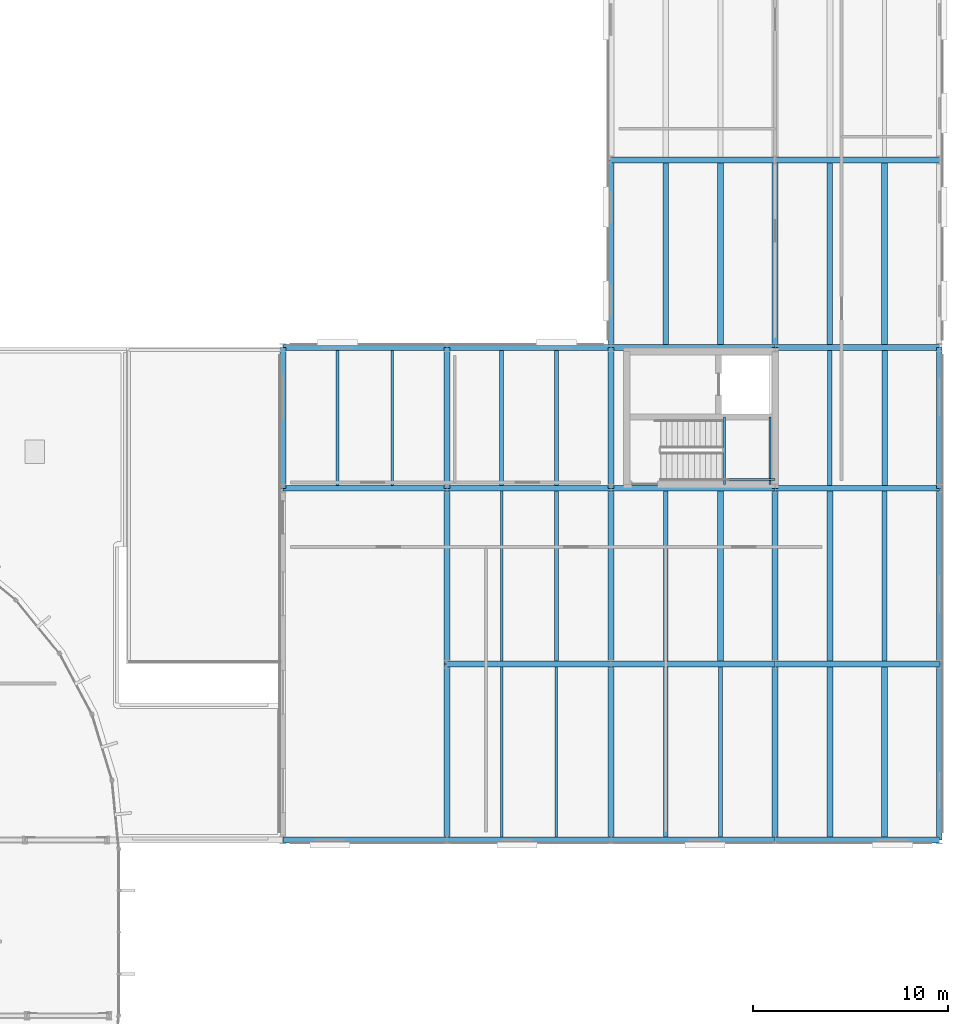
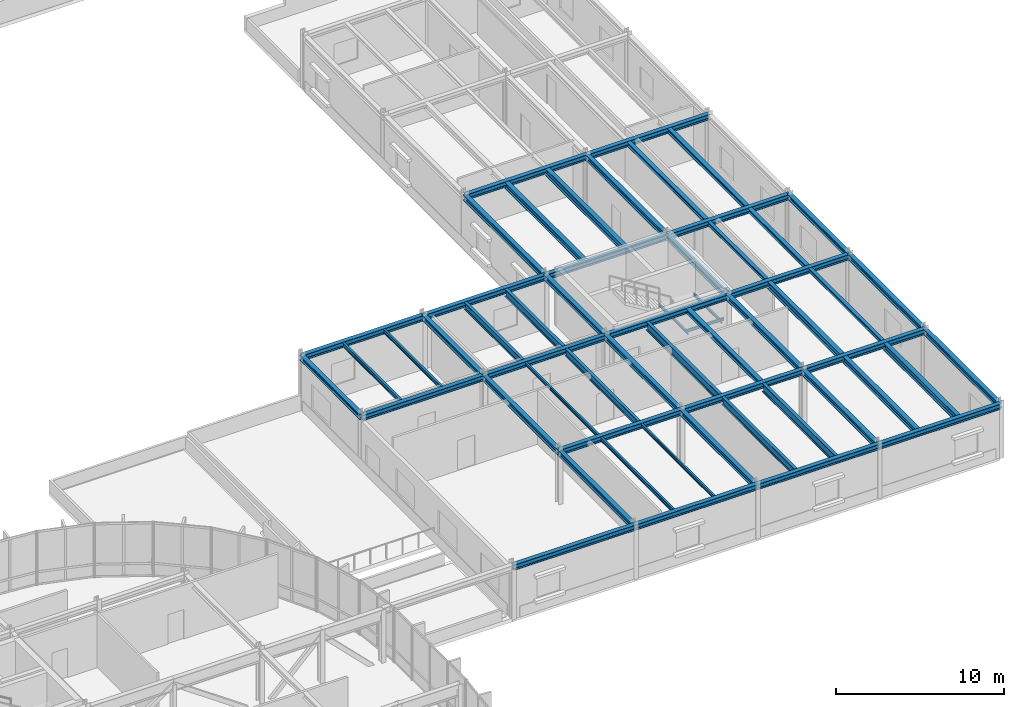
# One storey, part 36 of 69: 57 beams.
"""IFC4 building model written with IfcOpenShell, lengths in metres."""

from ifc_helpers import new_model, si_unit, direction, frame, origin, origin_2d, place, context, subcontext, project, spatial, i_section, extrude, material, material_profile, profile_set, type_object, element, save


model = new_model("IFC4")

# Units and contexts
model_context = context("Model", 3, precision=1e-05, world=origin(), true_north=direction((0.0, 1.0)))
body_context = subcontext(model_context, "Body", "Model", "MODEL_VIEW")
ifc_project = project(units=[si_unit("LENGTHUNIT", "METRE"), si_unit("AREAUNIT", "SQUARE_METRE"), si_unit("VOLUMEUNIT", "CUBIC_METRE"), si_unit("PLANEANGLEUNIT", "RADIAN"), si_unit("MASSUNIT", "GRAM", prefix="KILO")], contexts=[model_context])

# Site, building, storey
site_placement = place(None, origin())
site = spatial("IfcSite", under=ifc_project, at=site_placement, CompositionType="ELEMENT")
building_placement = place(site_placement, origin())
building = spatial("IfcBuilding", under=site, at=building_placement, Name="Montealbar Specialist Clinic", CompositionType="ELEMENT")
storey_placement = place(building_placement, frame((0.0, 0.0, 9.60009765625)))
storey = spatial("IfcBuildingStorey", under=building, at=storey_placement, Name="L02", CompositionType="ELEMENT", Elevation=9.60009765625)

# Beams
ifc_material = material(Name="Steel S355", Category="steel")
ifc_material_profile_1 = material_profile(ifc_material, i_section(OverallWidth=0.300048828125, OverallDepth=0.360107421875, WebThickness=0.012451171875, FlangeThickness=0.0224609375, FilletRadius=0.027099609375, at=origin_2d()), Name="HEB 360", Category="steel")
ifc_profile_set_1 = profile_set([ifc_material_profile_1], Name="Steel S355")
beam_type_1 = type_object("IfcBeamType", Name="BM-GIRD-HEB360", PredefinedType="BEAM", material=ifc_profile_set_1)
for number, where, z_axis, x_axis, name in (
    (1, (145.199951171875, 45.0, 3.75), (0.0, 1.0, 0.0), (-1.0, 0.0, 0.0), "Beam GY-L02-1452-450-522"),
    (2, (153.60009765625, 45.0, 3.75), (0.0, 1.0, 0.0), (-1.0, 0.0, 0.0), "Beam GY-L02-1536-450-522"),
):
    element("IfcBeam", number, at=place(storey_placement, frame(where, z_axis=z_axis, x_axis=x_axis)), inside=storey, type_object=beam_type_1, Name=name, PredefinedType="BEAM", context=body_context, shape_type="SweptSolid", body=[
        extrude(i_section(OverallWidth=0.300048828125, OverallDepth=0.360107421875, WebThickness=0.012451171875, FlangeThickness=0.0224609375, FilletRadius=0.027099609375, at=origin_2d()), origin(), (0.0, 0.0, 1.0), 7.199951171875),
    ])
ifc_material_profile_2 = material_profile(ifc_material, i_section(OverallWidth=0.300048828125, OverallDepth=0.360107421875, WebThickness=0.012451171875, FlangeThickness=0.0224609375, FilletRadius=0.027099609375, at=origin_2d()), Name="HEB 360", Category="steel")
ifc_profile_set_2 = profile_set([ifc_material_profile_2], Name="Steel S355")
beam_type_2 = type_object("IfcBeamType", Name="BM-GIRD-HEB360-EXT", PredefinedType="BEAM", material=ifc_profile_set_2)
for number, where, z_axis, x_axis, name in (
    (3, (128.39990234375, 45.0, 3.75), (0.0, 1.0, 0.0), (-1.0, 0.0, 0.0), "Beam GY-L02-1284-450-522"),
    (4, (136.800048828125, 45.0, 3.75), (0.0, 1.0, 0.0), (-1.0, 0.0, 0.0), "Beam GY-L02-1368-450-522"),
    (5, (162.0, 45.0, 3.75), (0.0, 1.0, 0.0), (-1.0, 0.0, 0.0), "Beam GY-L02-1620-450-522"),
):
    element("IfcBeam", number, at=place(storey_placement, frame(where, z_axis=z_axis, x_axis=x_axis)), inside=storey, type_object=beam_type_2, Name=name, PredefinedType="BEAM", context=body_context, shape_type="SweptSolid", body=[
        extrude(i_section(OverallWidth=0.300048828125, OverallDepth=0.360107421875, WebThickness=0.012451171875, FlangeThickness=0.0224609375, FilletRadius=0.027099609375, at=origin_2d()), origin(), (0.0, 0.0, 1.0), 7.199951171875),
    ])
ifc_material_profile_3 = material_profile(ifc_material, i_section(OverallWidth=0.300048828125, OverallDepth=0.39990234375, WebThickness=0.013427734375, FlangeThickness=0.02392578125, FilletRadius=0.027099609375, at=origin_2d()), Name="HEB 400", Category="steel")
ifc_profile_set_3 = profile_set([ifc_material_profile_3], Name="Steel S355")
beam_type_3 = type_object("IfcBeamType", Name="BM-GIRD-HEB400", PredefinedType="BEAM", material=ifc_profile_set_3)
beam_1_placement = place(storey_placement, frame((136.800048828125, 45.0, 3.72998046875), z_axis=(1.0, 0.0, 0.0), x_axis=(0.0, 1.0, 0.0)))
element("IfcBeam", 6, at=beam_1_placement, inside=storey, type_object=beam_type_3, Name="Beam GX-L02-1368-1452-450", PredefinedType="BEAM", context=body_context, shape_type="SweptSolid", body=[
    extrude(i_section(OverallWidth=0.300048828125, OverallDepth=0.39990234375, WebThickness=0.013427734375, FlangeThickness=0.02392578125, FilletRadius=0.027099609375, at=origin_2d()), origin(), (0.0, 0.0, 1.0), 8.39990234375),
])
beam_2_placement = place(storey_placement, frame((145.199951171875, 45.0, 3.72998046875), z_axis=(1.0, 0.0, 0.0), x_axis=(0.0, 1.0, 0.0)))
element("IfcBeam", 7, at=beam_2_placement, inside=storey, type_object=beam_type_3, Name="Beam GX-L02-1452-1536-450", PredefinedType="BEAM", context=body_context, shape_type="SweptSolid", body=[
    extrude(i_section(OverallWidth=0.300048828125, OverallDepth=0.39990234375, WebThickness=0.013427734375, FlangeThickness=0.02392578125, FilletRadius=0.027099609375, at=origin_2d()), origin(), (0.0, 0.0, 1.0), 8.400146484375),
])
beam_3_placement = place(storey_placement, frame((153.60009765625, 45.0, 3.72998046875), z_axis=(1.0, 0.0, 0.0), x_axis=(0.0, 1.0, 0.0)))
element("IfcBeam", 8, at=beam_3_placement, inside=storey, type_object=beam_type_3, Name="Beam GX-L02-1536-1620-450", PredefinedType="BEAM", context=body_context, shape_type="SweptSolid", body=[
    extrude(i_section(OverallWidth=0.300048828125, OverallDepth=0.39990234375, WebThickness=0.013427734375, FlangeThickness=0.02392578125, FilletRadius=0.027099609375, at=origin_2d()), origin(), (0.0, 0.0, 1.0), 8.39990234375),
])
for number, where, z_axis, x_axis, name in (
    (9, (145.199951171875, 36.0, 3.72998046875), (0.0, 1.0, 0.0), (-1.0, 0.0, 0.0), "Beam GY-L02-1452-360-450"),
    (10, (153.60009765625, 36.0, 3.72998046875), (0.0, 1.0, 0.0), (-1.0, 0.0, 0.0), "Beam GY-L02-1536-360-450"),
):
    element("IfcBeam", number, at=place(storey_placement, frame(where, z_axis=z_axis, x_axis=x_axis)), inside=storey, type_object=beam_type_3, Name=name, PredefinedType="BEAM", context=body_context, shape_type="SweptSolid", body=[
        extrude(i_section(OverallWidth=0.300048828125, OverallDepth=0.39990234375, WebThickness=0.013427734375, FlangeThickness=0.02392578125, FilletRadius=0.027099609375, at=origin_2d()), origin(), (0.0, 0.0, 1.0), 9.0),
    ])
ifc_material_profile_4 = material_profile(ifc_material, i_section(OverallWidth=0.300048828125, OverallDepth=0.39990234375, WebThickness=0.013427734375, FlangeThickness=0.02392578125, FilletRadius=0.027099609375, at=origin_2d()), Name="HEB 400", Category="steel")
ifc_profile_set_4 = profile_set([ifc_material_profile_4], Name="Steel S355")
beam_type_4 = type_object("IfcBeamType", Name="BM-GIRD-HEB400-EXT", PredefinedType="BEAM", material=ifc_profile_set_4)
beam_4_placement = place(storey_placement, frame((128.39990234375, 27.0, 3.72998046875), z_axis=(1.0, 0.0, 0.0), x_axis=(0.0, 1.0, 0.0)))
element("IfcBeam", 11, at=beam_4_placement, inside=storey, type_object=beam_type_4, Name="Beam GX-L02-1284-1368-270", PredefinedType="BEAM", context=body_context, shape_type="SweptSolid", body=[
    extrude(i_section(OverallWidth=0.300048828125, OverallDepth=0.39990234375, WebThickness=0.013427734375, FlangeThickness=0.02392578125, FilletRadius=0.027099609375, at=origin_2d()), origin(), (0.0, 0.0, 1.0), 8.400146484375),
])
beam_5_placement = place(storey_placement, frame((136.800048828125, 27.0, 3.72998046875), z_axis=(1.0, 0.0, 0.0), x_axis=(0.0, 1.0, 0.0)))
element("IfcBeam", 12, at=beam_5_placement, inside=storey, type_object=beam_type_4, Name="Beam GX-L02-1368-1452-270", PredefinedType="BEAM", context=body_context, shape_type="SweptSolid", body=[
    extrude(i_section(OverallWidth=0.300048828125, OverallDepth=0.39990234375, WebThickness=0.013427734375, FlangeThickness=0.02392578125, FilletRadius=0.027099609375, at=origin_2d()), origin(), (0.0, 0.0, 1.0), 8.39990234375),
])
beam_6_placement = place(storey_placement, frame((145.199951171875, 27.0, 3.72998046875), z_axis=(1.0, 0.0, 0.0), x_axis=(0.0, 1.0, 0.0)))
element("IfcBeam", 13, at=beam_6_placement, inside=storey, type_object=beam_type_4, Name="Beam GX-L02-1452-1536-270", PredefinedType="BEAM", context=body_context, shape_type="SweptSolid", body=[
    extrude(i_section(OverallWidth=0.300048828125, OverallDepth=0.39990234375, WebThickness=0.013427734375, FlangeThickness=0.02392578125, FilletRadius=0.027099609375, at=origin_2d()), origin(), (0.0, 0.0, 1.0), 8.400146484375),
])
for number, where, z_axis, x_axis, name in (
    (14, (153.60009765625, 27.0, 3.72998046875), (1.0, 0.0, 0.0), (0.0, 1.0, 0.0), "Beam GX-L02-1536-1620-270"),
    (15, (136.800048828125, 36.0, 3.72998046875), (1.0, 0.0, 0.0), (0.0, 1.0, 0.0), "Beam GX-L02-1368-1452-360"),
):
    element("IfcBeam", number, at=place(storey_placement, frame(where, z_axis=z_axis, x_axis=x_axis)), inside=storey, type_object=beam_type_4, Name=name, PredefinedType="BEAM", context=body_context, shape_type="SweptSolid", body=[
        extrude(i_section(OverallWidth=0.300048828125, OverallDepth=0.39990234375, WebThickness=0.013427734375, FlangeThickness=0.02392578125, FilletRadius=0.027099609375, at=origin_2d()), origin(), (0.0, 0.0, 1.0), 8.39990234375),
    ])
beam_7_placement = place(storey_placement, frame((145.199951171875, 36.0, 3.72998046875), z_axis=(1.0, 0.0, 0.0), x_axis=(0.0, 1.0, 0.0)))
element("IfcBeam", 16, at=beam_7_placement, inside=storey, type_object=beam_type_4, Name="Beam GX-L02-1452-1536-360", PredefinedType="BEAM", context=body_context, shape_type="SweptSolid", body=[
    extrude(i_section(OverallWidth=0.300048828125, OverallDepth=0.39990234375, WebThickness=0.013427734375, FlangeThickness=0.02392578125, FilletRadius=0.027099609375, at=origin_2d()), origin(), (0.0, 0.0, 1.0), 8.400146484375),
])
beam_8_placement = place(storey_placement, frame((153.60009765625, 36.0, 3.72998046875), z_axis=(1.0, 0.0, 0.0), x_axis=(0.0, 1.0, 0.0)))
element("IfcBeam", 17, at=beam_8_placement, inside=storey, type_object=beam_type_4, Name="Beam GX-L02-1536-1620-360", PredefinedType="BEAM", context=body_context, shape_type="SweptSolid", body=[
    extrude(i_section(OverallWidth=0.300048828125, OverallDepth=0.39990234375, WebThickness=0.013427734375, FlangeThickness=0.02392578125, FilletRadius=0.027099609375, at=origin_2d()), origin(), (0.0, 0.0, 1.0), 8.39990234375),
])
for number, where, z_axis, x_axis, name in (
    (18, (128.39990234375, 45.0, 3.72998046875), (1.0, 0.0, 0.0), (0.0, 1.0, 0.0), "Beam GX-L02-1284-1368-450"),
    (19, (128.39990234375, 52.199951171875, 3.72998046875), (1.0, 0.0, 0.0), (0.0, 1.0, 0.0), "Beam GX-L02-1284-1368-522"),
):
    element("IfcBeam", number, at=place(storey_placement, frame(where, z_axis=z_axis, x_axis=x_axis)), inside=storey, type_object=beam_type_4, Name=name, PredefinedType="BEAM", context=body_context, shape_type="SweptSolid", body=[
        extrude(i_section(OverallWidth=0.300048828125, OverallDepth=0.39990234375, WebThickness=0.013427734375, FlangeThickness=0.02392578125, FilletRadius=0.027099609375, at=origin_2d()), origin(), (0.0, 0.0, 1.0), 8.400146484375),
    ])
beam_9_placement = place(storey_placement, frame((136.800048828125, 52.199951171875, 3.72998046875), z_axis=(1.0, 0.0, 0.0), x_axis=(0.0, 1.0, 0.0)))
element("IfcBeam", 20, at=beam_9_placement, inside=storey, type_object=beam_type_4, Name="Beam GX-L02-1368-1452-522", PredefinedType="BEAM", context=body_context, shape_type="SweptSolid", body=[
    extrude(i_section(OverallWidth=0.300048828125, OverallDepth=0.39990234375, WebThickness=0.013427734375, FlangeThickness=0.02392578125, FilletRadius=0.027099609375, at=origin_2d()), origin(), (0.0, 0.0, 1.0), 8.39990234375),
])
beam_10_placement = place(storey_placement, frame((145.199951171875, 52.199951171875, 3.72998046875), z_axis=(1.0, 0.0, 0.0), x_axis=(0.0, 1.0, 0.0)))
element("IfcBeam", 21, at=beam_10_placement, inside=storey, type_object=beam_type_4, Name="Beam GX-L02-1452-1536-522", PredefinedType="BEAM", context=body_context, shape_type="SweptSolid", body=[
    extrude(i_section(OverallWidth=0.300048828125, OverallDepth=0.39990234375, WebThickness=0.013427734375, FlangeThickness=0.02392578125, FilletRadius=0.027099609375, at=origin_2d()), origin(), (0.0, 0.0, 1.0), 8.400146484375),
])
beam_11_placement = place(storey_placement, frame((153.60009765625, 52.199951171875, 3.72998046875), z_axis=(1.0, 0.0, 0.0), x_axis=(0.0, 1.0, 0.0)))
element("IfcBeam", 22, at=beam_11_placement, inside=storey, type_object=beam_type_4, Name="Beam GX-L02-1536-1620-522", PredefinedType="BEAM", context=body_context, shape_type="SweptSolid", body=[
    extrude(i_section(OverallWidth=0.300048828125, OverallDepth=0.39990234375, WebThickness=0.013427734375, FlangeThickness=0.02392578125, FilletRadius=0.027099609375, at=origin_2d()), origin(), (0.0, 0.0, 1.0), 8.39990234375),
])
beam_12_placement = place(storey_placement, frame((145.199951171875, 61.800048828125, 3.72998046875), z_axis=(1.0, 0.0, 0.0), x_axis=(0.0, 1.0, 0.0)))
element("IfcBeam", 23, at=beam_12_placement, inside=storey, type_object=beam_type_4, Name="Beam GX-L02-1452-1536-618", PredefinedType="BEAM", context=body_context, shape_type="SweptSolid", body=[
    extrude(i_section(OverallWidth=0.300048828125, OverallDepth=0.39990234375, WebThickness=0.013427734375, FlangeThickness=0.02392578125, FilletRadius=0.027099609375, at=origin_2d()), origin(), (0.0, 0.0, 1.0), 8.400146484375),
])
beam_13_placement = place(storey_placement, frame((153.60009765625, 61.800048828125, 3.72998046875), z_axis=(1.0, 0.0, 0.0), x_axis=(0.0, 1.0, 0.0)))
element("IfcBeam", 24, at=beam_13_placement, inside=storey, type_object=beam_type_4, Name="Beam GX-L02-1536-1620-618", PredefinedType="BEAM", context=body_context, shape_type="SweptSolid", body=[
    extrude(i_section(OverallWidth=0.300048828125, OverallDepth=0.39990234375, WebThickness=0.013427734375, FlangeThickness=0.02392578125, FilletRadius=0.027099609375, at=origin_2d()), origin(), (0.0, 0.0, 1.0), 8.39990234375),
])
for number, where, z_axis, x_axis, name in (
    (25, (136.800048828125, 27.0, 3.72998046875), (0.0, 1.0, 0.0), (-1.0, 0.0, 0.0), "Beam GY-L02-1368-270-360"),
    (26, (136.800048828125, 36.0, 3.72998046875), (0.0, 1.0, 0.0), (-1.0, 0.0, 0.0), "Beam GY-L02-1368-360-450"),
    (27, (145.199951171875, 27.0, 3.72998046875), (0.0, 1.0, 0.0), (-1.0, 0.0, 0.0), "Beam GY-L02-1452-270-360"),
):
    element("IfcBeam", number, at=place(storey_placement, frame(where, z_axis=z_axis, x_axis=x_axis)), inside=storey, type_object=beam_type_4, Name=name, PredefinedType="BEAM", context=body_context, shape_type="SweptSolid", body=[
        extrude(i_section(OverallWidth=0.300048828125, OverallDepth=0.39990234375, WebThickness=0.013427734375, FlangeThickness=0.02392578125, FilletRadius=0.027099609375, at=origin_2d()), origin(), (0.0, 0.0, 1.0), 9.0),
    ])
beam_14_placement = place(storey_placement, frame((145.199951171875, 52.199951171875, 3.72998046875), z_axis=(0.0, 1.0, 0.0), x_axis=(-1.0, 0.0, 0.0)))
element("IfcBeam", 28, at=beam_14_placement, inside=storey, type_object=beam_type_4, Name="Beam GY-L02-1452-522-618", PredefinedType="BEAM", context=body_context, shape_type="SweptSolid", body=[
    extrude(i_section(OverallWidth=0.300048828125, OverallDepth=0.39990234375, WebThickness=0.013427734375, FlangeThickness=0.02392578125, FilletRadius=0.027099609375, at=origin_2d()), origin(), (0.0, 0.0, 1.0), 9.60009765625),
])
beam_15_placement = place(storey_placement, frame((153.60009765625, 27.0, 3.72998046875), z_axis=(0.0, 1.0, 0.0), x_axis=(-1.0, 0.0, 0.0)))
element("IfcBeam", 29, at=beam_15_placement, inside=storey, type_object=beam_type_4, Name="Beam GY-L02-1536-270-360", PredefinedType="BEAM", context=body_context, shape_type="SweptSolid", body=[
    extrude(i_section(OverallWidth=0.300048828125, OverallDepth=0.39990234375, WebThickness=0.013427734375, FlangeThickness=0.02392578125, FilletRadius=0.027099609375, at=origin_2d()), origin(), (0.0, 0.0, 1.0), 9.0),
])
beam_16_placement = place(storey_placement, frame((153.60009765625, 52.199951171875, 3.72998046875), z_axis=(0.0, 1.0, 0.0), x_axis=(-1.0, 0.0, 0.0)))
element("IfcBeam", 30, at=beam_16_placement, inside=storey, type_object=beam_type_4, Name="Beam GY-L02-1536-522-618", PredefinedType="BEAM", context=body_context, shape_type="SweptSolid", body=[
    extrude(i_section(OverallWidth=0.300048828125, OverallDepth=0.39990234375, WebThickness=0.013427734375, FlangeThickness=0.02392578125, FilletRadius=0.027099609375, at=origin_2d()), origin(), (0.0, 0.0, 1.0), 9.60009765625),
])
for number, where, z_axis, x_axis, name in (
    (31, (162.0, 27.0, 3.72998046875), (0.0, 1.0, 0.0), (-1.0, 0.0, 0.0), "Beam GY-L02-1620-270-360"),
    (32, (162.0, 36.0, 3.72998046875), (0.0, 1.0, 0.0), (-1.0, 0.0, 0.0), "Beam GY-L02-1620-360-450"),
):
    element("IfcBeam", number, at=place(storey_placement, frame(where, z_axis=z_axis, x_axis=x_axis)), inside=storey, type_object=beam_type_4, Name=name, PredefinedType="BEAM", context=body_context, shape_type="SweptSolid", body=[
        extrude(i_section(OverallWidth=0.300048828125, OverallDepth=0.39990234375, WebThickness=0.013427734375, FlangeThickness=0.02392578125, FilletRadius=0.027099609375, at=origin_2d()), origin(), (0.0, 0.0, 1.0), 9.0),
    ])
ifc_material_profile_5 = material_profile(ifc_material, i_section(OverallWidth=0.300048828125, OverallDepth=0.35009765625, WebThickness=0.010009765625, FlangeThickness=0.017578125, FilletRadius=0.027099609375, at=origin_2d()), Name="HEA 360", Category="steel")
ifc_profile_set_5 = profile_set([ifc_material_profile_5], Name="Steel S355")
beam_type_5 = type_object("IfcBeamType", Name="BM-JST-HEA360", PredefinedType="JOIST", material=ifc_profile_set_5)
beam_17_placement = place(storey_placement, frame((150.800048828125, 36.14990234375, 3.7548828125), z_axis=(0.0, 1.0, 0.0), x_axis=(-1.0, 0.0, 0.0)))
element("IfcBeam", 33, at=beam_17_placement, inside=storey, type_object=beam_type_5, Name="Beam JST-L02-1508-362-448", PredefinedType="JOIST", context=body_context, shape_type="SweptSolid", body=[
    extrude(i_section(OverallWidth=0.300048828125, OverallDepth=0.35009765625, WebThickness=0.010009765625, FlangeThickness=0.017578125, FilletRadius=0.027099609375, at=origin_2d()), origin(), (0.0, 0.0, 1.0), 8.7001953125),
])
ifc_material_profile_6 = material_profile(ifc_material, i_section(OverallWidth=0.300048828125, OverallDepth=0.43994140625, WebThickness=0.011474609375, FlangeThickness=0.02099609375, FilletRadius=0.027099609375, at=origin_2d()), Name="HEA 450", Category="steel")
ifc_profile_set_6 = profile_set([ifc_material_profile_6], Name="Steel S355")
beam_type_6 = type_object("IfcBeamType", Name="BM-JST-HEA450", PredefinedType="JOIST", material=ifc_profile_set_6)
beam_18_placement = place(storey_placement, frame((148.0, 52.35009765625, 3.7099609375), z_axis=(0.0, 1.0, 0.0), x_axis=(-1.0, 0.0, 0.0)))
element("IfcBeam", 34, at=beam_18_placement, inside=storey, type_object=beam_type_6, Name="Beam JST-L02-1480-524-616", PredefinedType="JOIST", context=body_context, shape_type="SweptSolid", body=[
    extrude(i_section(OverallWidth=0.300048828125, OverallDepth=0.43994140625, WebThickness=0.011474609375, FlangeThickness=0.02099609375, FilletRadius=0.027099609375, at=origin_2d()), origin(), (0.0, 0.0, 1.0), 9.2998046875),
])
beam_19_placement = place(storey_placement, frame((156.39990234375, 27.14990234375, 3.7099609375), z_axis=(0.0, 1.0, 0.0), x_axis=(-1.0, 0.0, 0.0)))
element("IfcBeam", 35, at=beam_19_placement, inside=storey, type_object=beam_type_6, Name="Beam JST-L02-1564-272-358", PredefinedType="JOIST", context=body_context, shape_type="SweptSolid", body=[
    extrude(i_section(OverallWidth=0.300048828125, OverallDepth=0.43994140625, WebThickness=0.011474609375, FlangeThickness=0.02099609375, FilletRadius=0.027099609375, at=origin_2d()), origin(), (0.0, 0.0, 1.0), 8.7001953125),
])
ifc_material_profile_7 = material_profile(ifc_material, i_section(OverallWidth=0.300048828125, OverallDepth=0.489990234375, WebThickness=0.011962890625, FlangeThickness=0.02294921875, FilletRadius=0.027099609375, at=origin_2d()), Name="HEA 500", Category="steel")
ifc_profile_set_7 = profile_set([ifc_material_profile_7], Name="Steel S355")
beam_type_7 = type_object("IfcBeamType", Name="BM-JST-HEA500", PredefinedType="JOIST", material=ifc_profile_set_7)
beam_20_placement = place(storey_placement, frame((150.800048828125, 52.35009765625, 3.684814453125), z_axis=(0.0, 1.0, 0.0), x_axis=(-1.0, 0.0, 0.0)))
element("IfcBeam", 36, at=beam_20_placement, inside=storey, type_object=beam_type_7, Name="Beam JST-L02-1508-524-616", PredefinedType="JOIST", context=body_context, shape_type="SweptSolid", body=[
    extrude(i_section(OverallWidth=0.300048828125, OverallDepth=0.489990234375, WebThickness=0.011962890625, FlangeThickness=0.02294921875, FilletRadius=0.027099609375, at=origin_2d()), origin(), (0.0, 0.0, 1.0), 9.2998046875),
])
for number, where, z_axis, x_axis, name in (
    (37, (159.199951171875, 27.14990234375, 3.684814453125), (0.0, 1.0, 0.0), (-1.0, 0.0, 0.0), "Beam JST-L02-1592-272-358"),
    (38, (156.39990234375, 36.14990234375, 3.684814453125), (0.0, 1.0, 0.0), (-1.0, 0.0, 0.0), "Beam JST-L02-1564-362-448"),
):
    element("IfcBeam", number, at=place(storey_placement, frame(where, z_axis=z_axis, x_axis=x_axis)), inside=storey, type_object=beam_type_7, Name=name, PredefinedType="JOIST", context=body_context, shape_type="SweptSolid", body=[
        extrude(i_section(OverallWidth=0.300048828125, OverallDepth=0.489990234375, WebThickness=0.011962890625, FlangeThickness=0.02294921875, FilletRadius=0.027099609375, at=origin_2d()), origin(), (0.0, 0.0, 1.0), 8.7001953125),
    ])
ifc_material_profile_8 = material_profile(ifc_material, i_section(OverallWidth=0.239990234375, OverallDepth=0.239990234375, WebThickness=0.010009765625, FlangeThickness=0.01708984375, FilletRadius=0.02099609375, at=origin_2d()), Name="HEB 240", Category="steel")
ifc_profile_set_8 = profile_set([ifc_material_profile_8], Name="Steel S355")
beam_type_8 = type_object("IfcBeamType", Name="BM-JST-HEB240", PredefinedType="JOIST", material=ifc_profile_set_8)
beam_21_placement = place(storey_placement, frame((159.199951171875, 36.14990234375, 3.809814453125), z_axis=(0.0, 1.0, 0.0), x_axis=(-1.0, 0.0, 0.0)))
element("IfcBeam", 39, at=beam_21_placement, inside=storey, type_object=beam_type_8, Name="Beam JST-L02-1592-362-448", PredefinedType="JOIST", context=body_context, shape_type="SweptSolid", body=[
    extrude(i_section(OverallWidth=0.239990234375, OverallDepth=0.239990234375, WebThickness=0.010009765625, FlangeThickness=0.01708984375, FilletRadius=0.02099609375, at=origin_2d()), origin(), (0.0, 0.0, 1.0), 8.7001953125),
])
beam_22_placement = place(storey_placement, frame((156.39990234375, 45.14990234375, 3.809814453125), z_axis=(0.0, 1.0, 0.0), x_axis=(-1.0, 0.0, 0.0)))
element("IfcBeam", 40, at=beam_22_placement, inside=storey, type_object=beam_type_8, Name="Beam JST-L02-1564-452-520", PredefinedType="JOIST", context=body_context, shape_type="SweptSolid", body=[
    extrude(i_section(OverallWidth=0.239990234375, OverallDepth=0.239990234375, WebThickness=0.010009765625, FlangeThickness=0.01708984375, FilletRadius=0.02099609375, at=origin_2d()), origin(), (0.0, 0.0, 1.0), 6.900146484375),
])
ifc_material_profile_9 = material_profile(ifc_material, i_section(OverallWidth=0.280029296875, OverallDepth=0.280029296875, WebThickness=0.010498046875, FlangeThickness=0.01806640625, FilletRadius=0.02392578125, at=origin_2d()), Name="HEB 280", Category="steel")
ifc_profile_set_9 = profile_set([ifc_material_profile_9], Name="Steel S355")
beam_type_9 = type_object("IfcBeamType", Name="BM-JST-HEB280", PredefinedType="JOIST", material=ifc_profile_set_9)
beam_23_placement = place(storey_placement, frame((159.199951171875, 45.14990234375, 3.789794921875), z_axis=(0.0, 1.0, 0.0), x_axis=(-1.0, 0.0, 0.0)))
element("IfcBeam", 41, at=beam_23_placement, inside=storey, type_object=beam_type_9, Name="Beam JST-L02-1592-452-520", PredefinedType="JOIST", context=body_context, shape_type="SweptSolid", body=[
    extrude(i_section(OverallWidth=0.280029296875, OverallDepth=0.280029296875, WebThickness=0.010498046875, FlangeThickness=0.01806640625, FilletRadius=0.02392578125, at=origin_2d()), origin(), (0.0, 0.0, 1.0), 6.900146484375),
])
beam_24_placement = place(storey_placement, frame((156.39990234375, 52.35009765625, 3.789794921875), z_axis=(0.0, 1.0, 0.0), x_axis=(-1.0, 0.0, 0.0)))
element("IfcBeam", 42, at=beam_24_placement, inside=storey, type_object=beam_type_9, Name="Beam JST-L02-1564-524-616", PredefinedType="JOIST", context=body_context, shape_type="SweptSolid", body=[
    extrude(i_section(OverallWidth=0.280029296875, OverallDepth=0.280029296875, WebThickness=0.010498046875, FlangeThickness=0.01806640625, FilletRadius=0.02392578125, at=origin_2d()), origin(), (0.0, 0.0, 1.0), 9.2998046875),
])
ifc_material_profile_10 = material_profile(ifc_material, i_section(OverallWidth=0.300048828125, OverallDepth=0.320068359375, WebThickness=0.011474609375, FlangeThickness=0.0205078125, FilletRadius=0.027099609375, at=origin_2d()), Name="HEB 320", Category="steel")
ifc_profile_set_10 = profile_set([ifc_material_profile_10], Name="Steel S355")
beam_type_10 = type_object("IfcBeamType", Name="BM-JST-HEB320", PredefinedType="JOIST", material=ifc_profile_set_10)
beam_25_placement = place(storey_placement, frame((159.199951171875, 52.35009765625, 3.77001953125), z_axis=(0.0, 1.0, 0.0), x_axis=(-1.0, 0.0, 0.0)))
element("IfcBeam", 43, at=beam_25_placement, inside=storey, type_object=beam_type_10, Name="Beam JST-L02-1592-524-616", PredefinedType="JOIST", context=body_context, shape_type="SweptSolid", body=[
    extrude(i_section(OverallWidth=0.300048828125, OverallDepth=0.320068359375, WebThickness=0.011474609375, FlangeThickness=0.0205078125, FilletRadius=0.027099609375, at=origin_2d()), origin(), (0.0, 0.0, 1.0), 9.2998046875),
])
ifc_material_profile_11 = material_profile(ifc_material, i_section(OverallWidth=0.1201171875, OverallDepth=0.239990234375, WebThickness=0.006103515625, FlangeThickness=0.009765625, FilletRadius=0.014892578125, at=origin_2d()), Name="IPE 240", Category="steel")
ifc_profile_set_11 = profile_set([ifc_material_profile_11], Name="Steel S355")
beam_type_11 = type_object("IfcBeamType", Name="BM-JST-IPE240", PredefinedType="JOIST", material=ifc_profile_set_11)
for number, where, z_axis, x_axis, name in (
    (44, (142.39990234375, 27.14990234375, 3.809814453125), (0.0, 1.0, 0.0), (-1.0, 0.0, 0.0), "Beam JST-L02-1424-272-358"),
    (45, (139.60009765625, 36.14990234375, 3.809814453125), (0.0, 1.0, 0.0), (-1.0, 0.0, 0.0), "Beam JST-L02-1396-362-448"),
):
    element("IfcBeam", number, at=place(storey_placement, frame(where, z_axis=z_axis, x_axis=x_axis)), inside=storey, type_object=beam_type_11, Name=name, PredefinedType="JOIST", context=body_context, shape_type="SweptSolid", body=[
        extrude(i_section(OverallWidth=0.1201171875, OverallDepth=0.239990234375, WebThickness=0.006103515625, FlangeThickness=0.009765625, FilletRadius=0.014892578125, at=origin_2d()), origin(), (0.0, 0.0, 1.0), 8.7001953125),
    ])
ifc_material_profile_12 = material_profile(ifc_material, i_section(OverallWidth=0.135009765625, OverallDepth=0.27001953125, WebThickness=0.006591796875, FlangeThickness=0.01025390625, FilletRadius=0.014892578125, at=origin_2d()), Name="IPE 270", Category="steel")
ifc_profile_set_12 = profile_set([ifc_material_profile_12], Name="Steel S355")
beam_type_12 = type_object("IfcBeamType", Name="BM-JST-IPE270", PredefinedType="JOIST", material=ifc_profile_set_12)
beam_26_placement = place(storey_placement, frame((134.0, 45.14990234375, 3.794921875), z_axis=(0.0, 1.0, 0.0), x_axis=(-1.0, 0.0, 0.0)))
element("IfcBeam", 46, at=beam_26_placement, inside=storey, type_object=beam_type_12, Name="Beam JST-L02-1340-452-520", PredefinedType="JOIST", context=body_context, shape_type="SweptSolid", body=[
    extrude(i_section(OverallWidth=0.135009765625, OverallDepth=0.27001953125, WebThickness=0.006591796875, FlangeThickness=0.01025390625, FilletRadius=0.014892578125, at=origin_2d()), origin(), (0.0, 0.0, 1.0), 6.900146484375),
])
beam_27_placement = place(storey_placement, frame((139.60009765625, 27.14990234375, 3.794921875), z_axis=(0.0, 1.0, 0.0), x_axis=(-1.0, 0.0, 0.0)))
element("IfcBeam", 47, at=beam_27_placement, inside=storey, type_object=beam_type_12, Name="Beam JST-L02-1396-272-358", PredefinedType="JOIST", context=body_context, shape_type="SweptSolid", body=[
    extrude(i_section(OverallWidth=0.135009765625, OverallDepth=0.27001953125, WebThickness=0.006591796875, FlangeThickness=0.01025390625, FilletRadius=0.014892578125, at=origin_2d()), origin(), (0.0, 0.0, 1.0), 8.7001953125),
])
ifc_material_profile_13 = material_profile(ifc_material, i_section(OverallWidth=0.14990234375, OverallDepth=0.300048828125, WebThickness=0.007080078125, FlangeThickness=0.0107421875, FilletRadius=0.014892578125, at=origin_2d()), Name="IPE 300", Category="steel")
ifc_profile_set_13 = profile_set([ifc_material_profile_13], Name="Steel S355")
beam_type_13 = type_object("IfcBeamType", Name="BM-JST-IPE300", PredefinedType="JOIST", material=ifc_profile_set_13)
beam_28_placement = place(storey_placement, frame((131.199951171875, 45.14990234375, 3.77978515625), z_axis=(0.0, 1.0, 0.0), x_axis=(-1.0, 0.0, 0.0)))
element("IfcBeam", 48, at=beam_28_placement, inside=storey, type_object=beam_type_13, Name="Beam JST-L02-1312-452-520", PredefinedType="JOIST", context=body_context, shape_type="SweptSolid", body=[
    extrude(i_section(OverallWidth=0.14990234375, OverallDepth=0.300048828125, WebThickness=0.007080078125, FlangeThickness=0.0107421875, FilletRadius=0.014892578125, at=origin_2d()), origin(), (0.0, 0.0, 1.0), 6.900146484375),
])
ifc_material_profile_14 = material_profile(ifc_material, i_section(OverallWidth=0.199951171875, OverallDepth=0.5, WebThickness=0.01025390625, FlangeThickness=0.01611328125, FilletRadius=0.02099609375, at=origin_2d()), Name="IPE 500", Category="steel")
ifc_profile_set_14 = profile_set([ifc_material_profile_14], Name="Steel S355")
beam_type_14 = type_object("IfcBeamType", Name="BM-JST-IPE500", PredefinedType="JOIST", material=ifc_profile_set_14)
beam_29_placement = place(storey_placement, frame((142.39990234375, 36.14990234375, 3.679931640625), z_axis=(0.0, 1.0, 0.0), x_axis=(-1.0, 0.0, 0.0)))
element("IfcBeam", 49, at=beam_29_placement, inside=storey, type_object=beam_type_14, Name="Beam JST-L02-1424-362-448", PredefinedType="JOIST", context=body_context, shape_type="SweptSolid", body=[
    extrude(i_section(OverallWidth=0.199951171875, OverallDepth=0.5, WebThickness=0.01025390625, FlangeThickness=0.01611328125, FilletRadius=0.02099609375, at=origin_2d()), origin(), (0.0, 0.0, 1.0), 8.7001953125),
])
beam_30_placement = place(storey_placement, frame((139.60009765625, 45.14990234375, 3.679931640625), z_axis=(0.0, 1.0, 0.0), x_axis=(-1.0, 0.0, 0.0)))
element("IfcBeam", 50, at=beam_30_placement, inside=storey, type_object=beam_type_14, Name="Beam JST-L02-1396-452-520", PredefinedType="JOIST", context=body_context, shape_type="SweptSolid", body=[
    extrude(i_section(OverallWidth=0.199951171875, OverallDepth=0.5, WebThickness=0.01025390625, FlangeThickness=0.01611328125, FilletRadius=0.02099609375, at=origin_2d()), origin(), (0.0, 0.0, 1.0), 6.900146484375),
])
ifc_material_profile_15 = material_profile(ifc_material, i_section(OverallWidth=0.2099609375, OverallDepth=0.550048828125, WebThickness=0.010986328125, FlangeThickness=0.01708984375, FilletRadius=0.02392578125, at=origin_2d()), Name="IPE 550", Category="steel")
ifc_profile_set_15 = profile_set([ifc_material_profile_15], Name="Steel S355")
beam_type_15 = type_object("IfcBeamType", Name="BM-JST-IPE550", PredefinedType="JOIST", material=ifc_profile_set_15)
beam_31_placement = place(storey_placement, frame((142.39990234375, 45.14990234375, 3.65478515625), z_axis=(0.0, 1.0, 0.0), x_axis=(-1.0, 0.0, 0.0)))
element("IfcBeam", 51, at=beam_31_placement, inside=storey, type_object=beam_type_15, Name="Beam JST-L02-1424-452-520", PredefinedType="JOIST", context=body_context, shape_type="SweptSolid", body=[
    extrude(i_section(OverallWidth=0.2099609375, OverallDepth=0.550048828125, WebThickness=0.010986328125, FlangeThickness=0.01708984375, FilletRadius=0.02392578125, at=origin_2d()), origin(), (0.0, 0.0, 1.0), 6.900146484375),
])
beam_32_placement = place(storey_placement, frame((148.0, 27.14990234375, 3.65478515625), z_axis=(0.0, 1.0, 0.0), x_axis=(-1.0, 0.0, 0.0)))
element("IfcBeam", 52, at=beam_32_placement, inside=storey, type_object=beam_type_15, Name="Beam JST-L02-1480-272-358", PredefinedType="JOIST", context=body_context, shape_type="SweptSolid", body=[
    extrude(i_section(OverallWidth=0.2099609375, OverallDepth=0.550048828125, WebThickness=0.010986328125, FlangeThickness=0.01708984375, FilletRadius=0.02392578125, at=origin_2d()), origin(), (0.0, 0.0, 1.0), 8.7001953125),
])
ifc_material_profile_16 = material_profile(ifc_material, i_section(OverallWidth=0.219970703125, OverallDepth=0.60009765625, WebThickness=0.011962890625, FlangeThickness=0.01904296875, FilletRadius=0.02392578125, at=origin_2d()), Name="IPE 600", Category="steel")
ifc_profile_set_16 = profile_set([ifc_material_profile_16], Name="Steel S355")
beam_type_16 = type_object("IfcBeamType", Name="BM-JST-IPE600", PredefinedType="JOIST", material=ifc_profile_set_16)
for number, where, z_axis, x_axis, name in (
    (53, (150.800048828125, 27.14990234375, 3.6298828125), (0.0, 1.0, 0.0), (-1.0, 0.0, 0.0), "Beam JST-L02-1508-272-358"),
    (54, (148.0, 36.14990234375, 3.6298828125), (0.0, 1.0, 0.0), (-1.0, 0.0, 0.0), "Beam JST-L02-1480-362-448"),
):
    element("IfcBeam", number, at=place(storey_placement, frame(where, z_axis=z_axis, x_axis=x_axis)), inside=storey, type_object=beam_type_16, Name=name, PredefinedType="JOIST", context=body_context, shape_type="SweptSolid", body=[
        extrude(i_section(OverallWidth=0.219970703125, OverallDepth=0.60009765625, WebThickness=0.011962890625, FlangeThickness=0.01904296875, FilletRadius=0.02392578125, at=origin_2d()), origin(), (0.0, 0.0, 1.0), 8.7001953125),
    ])
ifc_material_profile_17 = material_profile(ifc_material, i_section(OverallWidth=0.10009765625, OverallDepth=0.199951171875, WebThickness=0.005615234375, FlangeThickness=0.008544921875, FilletRadius=0.011962890625, at=origin_2d()), Name="IPE 200", Category="steel")
ifc_profile_set_17 = profile_set([ifc_material_profile_17], Name="Steel S355")
beam_type_17 = type_object("IfcBeamType", Name="BM-LINT-IPE200", PredefinedType="LINTEL", material=ifc_profile_set_17)
for number, where, z_axis, x_axis, name in (
    (55, (151.0048828125, 45.199951171875, 1.7998046875), (0.0, 1.0, 0.0), (-1.0, 0.0, 0.0), "Core C6 Stair Landing Beam L02 W"),
    (56, (153.330078125, 45.199951171875, 1.7998046875), (0.0, 1.0, 0.0), (-1.0, 0.0, 0.0), "Core C6 Stair Landing Beam L02 E"),
):
    element("IfcBeam", number, at=place(storey_placement, frame(where, z_axis=z_axis, x_axis=x_axis)), inside=storey, type_object=beam_type_17, Name=name, PredefinedType="LINTEL", context=body_context, shape_type="SweptSolid", body=[
        extrude(i_section(OverallWidth=0.10009765625, OverallDepth=0.199951171875, WebThickness=0.005615234375, FlangeThickness=0.008544921875, FilletRadius=0.011962890625, at=origin_2d()), origin(), (0.0, 0.0, 1.0), 3.449951171875),
    ])
beam_33_placement = place(storey_placement, frame((151.0048828125, 45.449951171875, 1.7998046875), z_axis=(1.0, 0.0, 0.0), x_axis=(0.0, 1.0, 0.0)))
element("IfcBeam", 57, at=beam_33_placement, inside=storey, type_object=beam_type_17, Name="Core C6 Stair Landing Tie Beam L02", PredefinedType="LINTEL", context=body_context, shape_type="SweptSolid", body=[
    extrude(i_section(OverallWidth=0.10009765625, OverallDepth=0.199951171875, WebThickness=0.005615234375, FlangeThickness=0.008544921875, FilletRadius=0.011962890625, at=origin_2d()), origin(), (0.0, 0.0, 1.0), 2.59521484375),
])

save(model, "model.ifc")
